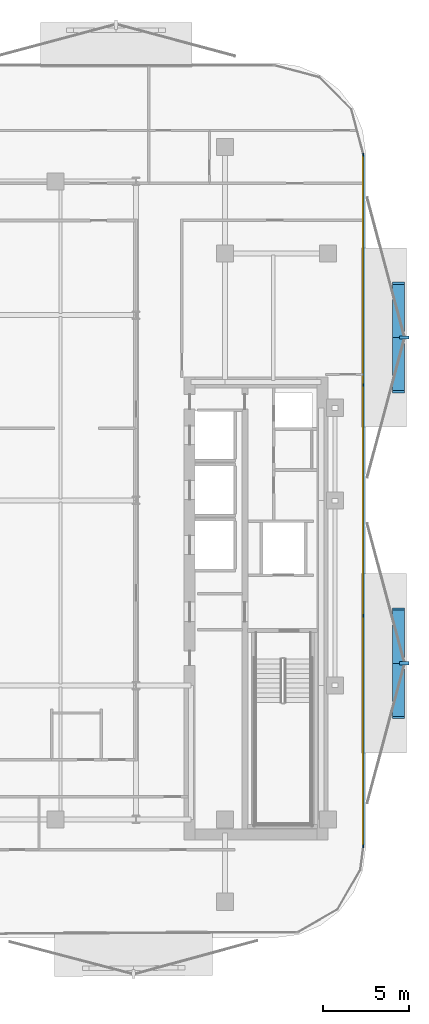
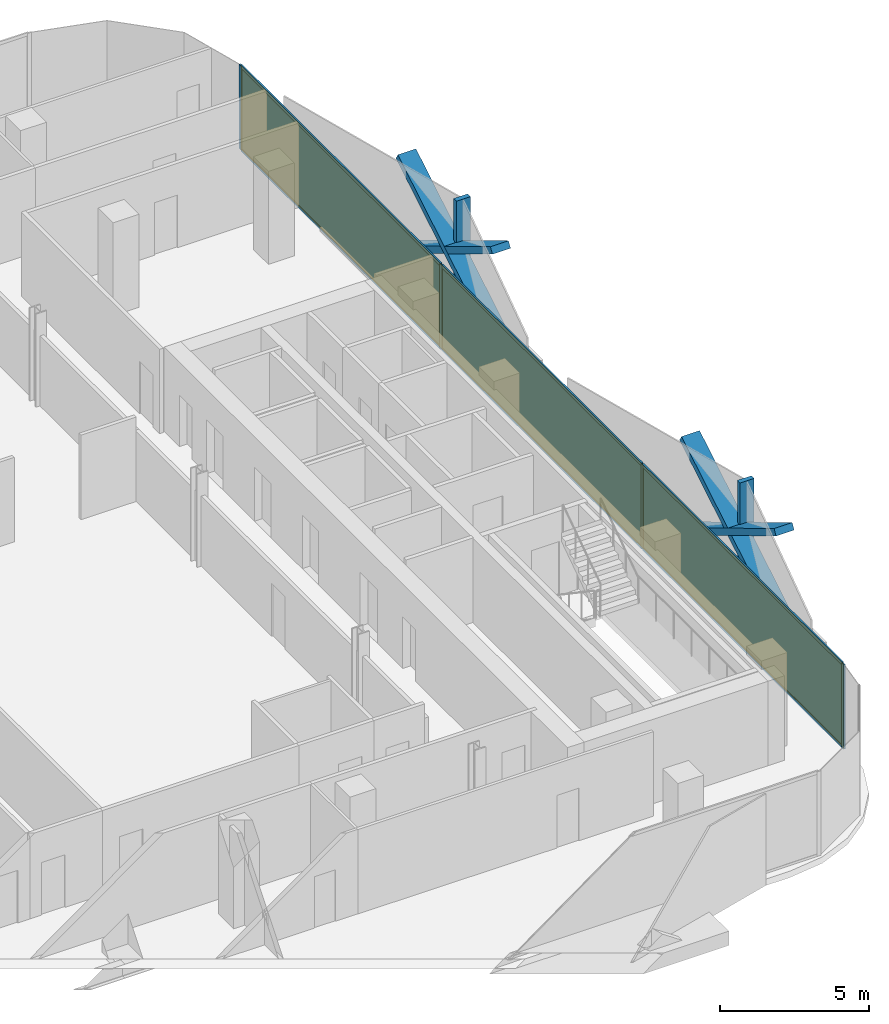
# One storey, part 11 of 17: 16 members, 3 plates, 1 curtain wall.
"""IFC4 building model written with IfcOpenShell, lengths in metres."""

from ifc_helpers import new_model, si_unit, direction, frame, frame_2d, origin, origin_2d, place, context, subcontext, project, spatial, rectangle, extrude, material, layer, layer_set, material_profile, profile_set, type_object, element, aggregate, save


model = new_model("IFC4")

# Units and contexts
model_context = context("Model", 3, precision=1e-05, world=origin(), true_north=direction((0.0, 1.0)))
body_context = subcontext(model_context, "Body", "Model", "MODEL_VIEW")
ifc_project = project(units=[si_unit("LENGTHUNIT", "METRE"), si_unit("AREAUNIT", "SQUARE_METRE"), si_unit("VOLUMEUNIT", "CUBIC_METRE"), si_unit("PLANEANGLEUNIT", "RADIAN"), si_unit("MASSUNIT", "GRAM", prefix="KILO")], contexts=[model_context])

# Member
ifc_material_1 = material(Name="Anodised Bronze Aluminium 6063-T6", Category="aluminium")
ifc_material_profile_1 = material_profile(ifc_material_1, rectangle(XDim=0.260009765625, YDim=0.699951171875, at=origin_2d()))
ifc_profile_set_1 = profile_set([ifc_material_profile_1], Name="Anodised Bronze Aluminium 6063-T6")
member_type_1 = type_object("IfcMemberType", Name="Bronze Diamond Solar-Screen Lattice Rib BDL-700", PredefinedType="MULLION", material=ifc_profile_set_1)
site_placement = place(None, origin())
building_placement = place(site_placement, origin())
storey_placement = place(building_placement, frame((0.0, 0.0, 210.60009765625)))
member_1_placement = place(storey_placement, frame((24.5, 12.660400390625, -0.130126953125), z_axis=(0.0, -0.85737327611, 0.514695118893), x_axis=(0.0, -0.514695118893, -0.85737327611)))
member_1 = element("IfcMember", 1, at=member_1_placement, type_object=member_type_1, Name="L49 Bronze Diamond Solar Screen Lattice Rib 335A", PredefinedType="MULLION", context=body_context, shape_type="SweptSolid", body=[
    extrude(rectangle(XDim=0.260009765625, YDim=0.699951171875, at=origin_2d()), origin(), (0.0, 0.0, 1.0), 7.383056640625),
])

member_2_placement = place(storey_placement, frame((24.5, 6.330322265625, -0.130126953125), z_axis=(0.0, 0.85737327611, 0.514695118893), x_axis=(0.0, 0.514695118893, -0.85737327611)))
member_2 = element("IfcMember", 2, at=member_2_placement, type_object=member_type_1, Name="L49 Bronze Diamond Solar Screen Lattice Rib 335B", PredefinedType="MULLION", context=body_context, shape_type="SweptSolid", body=[
    extrude(rectangle(XDim=0.260009765625, YDim=0.699951171875, at=origin_2d()), origin(), (0.0, 0.0, 1.0), 7.383056640625),
])

member_3_placement = place(storey_placement, frame((24.5, -6.330322265625, -0.130126953125), z_axis=(0.0, -0.85737327611, 0.514695118893), x_axis=(0.0, -0.514695118893, -0.85737327611)))
member_3 = element("IfcMember", 3, at=member_3_placement, type_object=member_type_1, Name="L49 Bronze Diamond Solar Screen Lattice Rib 336A", PredefinedType="MULLION", context=body_context, shape_type="SweptSolid", body=[
    extrude(rectangle(XDim=0.260009765625, YDim=0.699951171875, at=origin_2d()), origin(), (0.0, 0.0, 1.0), 7.383056640625),
])

member_4_placement = place(storey_placement, frame((24.5, -12.660400390625, -0.130126953125), z_axis=(0.0, 0.85737327611, 0.514695118893), x_axis=(0.0, 0.514695118893, -0.85737327611)))
member_4 = element("IfcMember", 4, at=member_4_placement, type_object=member_type_1, Name="L49 Bronze Diamond Solar Screen Lattice Rib 336B", PredefinedType="MULLION", context=body_context, shape_type="SweptSolid", body=[
    extrude(rectangle(XDim=0.260009765625, YDim=0.699951171875, at=origin_2d()), origin(), (0.0, 0.0, 1.0), 7.383056640625),
])

ifc_material_2 = material(Name="Anodised Bronze Aluminium 6063-T6", Category="aluminium")
ifc_material_profile_2 = material_profile(ifc_material_2, rectangle(XDim=0.179931640625, YDim=0.5400390625, at=origin_2d()))
ifc_profile_set_2 = profile_set([ifc_material_profile_2], Name="Anodised Bronze Aluminium 6063-T6")
member_type_2 = type_object("IfcMemberType", Name="Bronze Solar-Screen Vertical Fold Fin BSF-540", PredefinedType="MULLION", material=ifc_profile_set_2)
member_5_placement = place(storey_placement, frame((24.840087890625, 9.495361328125, -0.130126953125), z_axis=(0.0, 0.0, 1.0), x_axis=(0.0, -1.0, 0.0)))
member_5 = element("IfcMember", 5, at=member_5_placement, type_object=member_type_2, Name="L49 Bronze Solar Screen Vertical Fin 335", PredefinedType="MULLION", context=body_context, shape_type="SweptSolid", body=[
    extrude(rectangle(XDim=0.179931640625, YDim=0.5400390625, at=origin_2d()), origin(), (0.0, 0.0, 1.0), 3.800048828125),
])

member_6_placement = place(storey_placement, frame((24.840087890625, -9.495361328125, -0.130126953125), z_axis=(0.0, 0.0, 1.0), x_axis=(0.0, -1.0, 0.0)))
member_6 = element("IfcMember", 6, at=member_6_placement, type_object=member_type_2, Name="L49 Bronze Solar Screen Vertical Fin 336", PredefinedType="MULLION", context=body_context, shape_type="SweptSolid", body=[
    extrude(rectangle(XDim=0.179931640625, YDim=0.5400390625, at=origin_2d()), origin(), (0.0, 0.0, 1.0), 3.800048828125),
])

ifc_material_3 = material(Name="Anodised Bronze Aluminium 6063-T6", Category="aluminium")
ifc_material_profile_3 = material_profile(ifc_material_3, rectangle(XDim=0.06005859375, YDim=0.1650390625, at=origin_2d()))
ifc_profile_set_3 = profile_set([ifc_material_profile_3], Name="Anodised Bronze Aluminium 6063-T6")
member_type_3 = type_object("IfcMemberType", Name="CW-Z3 Mullion 60x165", PredefinedType="MULLION", material=ifc_profile_set_3)
member_7_placement = place(storey_placement, frame((22.4599609375, 20.160888671875, 0.0), z_axis=(0.0, 0.0, 1.0), x_axis=(1.0, 0.0, 0.0)))
member_7 = element("IfcMember", 7, at=member_7_placement, type_object=member_type_3, Name="CW-Z3 mullion 1", PredefinedType="MULLION", context=body_context, shape_type="SweptSolid", body=[
    extrude(rectangle(XDim=0.06005859375, YDim=0.1650390625, at=origin_2d()), origin(), (0.0, 0.0, 1.0), 3.449951171875),
])

member_8_placement = place(storey_placement, frame((22.4599609375, 6.730224609375, 0.0), z_axis=(0.0, 0.0, 1.0), x_axis=(1.0, 0.0, 0.0)))
member_8 = element("IfcMember", 8, at=member_8_placement, type_object=member_type_3, Name="CW-Z3 mullion 2", PredefinedType="MULLION", context=body_context, shape_type="SweptSolid", body=[
    extrude(rectangle(XDim=0.06005859375, YDim=0.1650390625, at=origin_2d()), origin(), (0.0, 0.0, 1.0), 3.449951171875),
])

member_9_placement = place(storey_placement, frame((22.4599609375, -6.730224609375, 0.0), z_axis=(0.0, 0.0, 1.0), x_axis=(1.0, 0.0, 0.0)))
member_9 = element("IfcMember", 9, at=member_9_placement, type_object=member_type_3, Name="CW-Z3 mullion 3", PredefinedType="MULLION", context=body_context, shape_type="SweptSolid", body=[
    extrude(rectangle(XDim=0.06005859375, YDim=0.1650390625, at=origin_2d()), origin(), (0.0, 0.0, 1.0), 3.449951171875),
])

member_10_placement = place(storey_placement, frame((22.4599609375, -20.160888671875, 0.0), z_axis=(0.0, 0.0, 1.0), x_axis=(1.0, 0.0, 0.0)))
member_10 = element("IfcMember", 10, at=member_10_placement, type_object=member_type_3, Name="CW-Z3 mullion 4", PredefinedType="MULLION", context=body_context, shape_type="SweptSolid", body=[
    extrude(rectangle(XDim=0.06005859375, YDim=0.1650390625, at=origin_2d()), origin(), (0.0, 0.0, 1.0), 3.449951171875),
])

ifc_material_4 = material(Name="Anodised Bronze Aluminium 6063-T6", Category="aluminium")
ifc_material_profile_4 = material_profile(ifc_material_4, rectangle(XDim=0.06005859375, YDim=0.1298828125, at=origin_2d()))
ifc_profile_set_4 = profile_set([ifc_material_profile_4], Name="Anodised Bronze Aluminium 6063-T6")
member_type_4 = type_object("IfcMemberType", Name="CW-Z3 Transom 60x130", PredefinedType="USERDEFINED", material=ifc_profile_set_4)
member_11_placement = place(storey_placement, frame((22.4599609375, 20.130859375, 0.02978515625), z_axis=(0.0, -1.0, 0.0), x_axis=(1.0, 0.0, 0.0)))
member_11 = element("IfcMember", 11, at=member_11_placement, type_object=member_type_4, Name="CW-Z3 transom 1.1", ObjectType="TRANSOM", PredefinedType="USERDEFINED", context=body_context, shape_type="SweptSolid", body=[
    extrude(rectangle(XDim=0.06005859375, YDim=0.1298828125, at=origin_2d()), origin(), (0.0, 0.0, 1.0), 13.37060546875),
])

member_12_placement = place(storey_placement, frame((22.4599609375, 20.130859375, 3.419921875), z_axis=(0.0, -1.0, 0.0), x_axis=(1.0, 0.0, 0.0)))
member_12 = element("IfcMember", 12, at=member_12_placement, type_object=member_type_4, Name="CW-Z3 transom 1.2", ObjectType="TRANSOM", PredefinedType="USERDEFINED", context=body_context, shape_type="SweptSolid", body=[
    extrude(rectangle(XDim=0.06005859375, YDim=0.1298828125, at=origin_2d()), origin(), (0.0, 0.0, 1.0), 13.37060546875),
])

member_13_placement = place(storey_placement, frame((22.4599609375, 6.7001953125, 0.02978515625), z_axis=(0.0, -1.0, 0.0), x_axis=(1.0, 0.0, 0.0)))
member_13 = element("IfcMember", 13, at=member_13_placement, type_object=member_type_4, Name="CW-Z3 transom 2.1", ObjectType="TRANSOM", PredefinedType="USERDEFINED", context=body_context, shape_type="SweptSolid", body=[
    extrude(rectangle(XDim=0.06005859375, YDim=0.1298828125, at=origin_2d()), origin(), (0.0, 0.0, 1.0), 13.400390625),
])

member_14_placement = place(storey_placement, frame((22.4599609375, 6.7001953125, 3.419921875), z_axis=(0.0, -1.0, 0.0), x_axis=(1.0, 0.0, 0.0)))
member_14 = element("IfcMember", 14, at=member_14_placement, type_object=member_type_4, Name="CW-Z3 transom 2.2", ObjectType="TRANSOM", PredefinedType="USERDEFINED", context=body_context, shape_type="SweptSolid", body=[
    extrude(rectangle(XDim=0.06005859375, YDim=0.1298828125, at=origin_2d()), origin(), (0.0, 0.0, 1.0), 13.400390625),
])

member_15_placement = place(storey_placement, frame((22.4599609375, -6.76025390625, 0.02978515625), z_axis=(0.0, -1.0, 0.0), x_axis=(1.0, 0.0, 0.0)))
member_15 = element("IfcMember", 15, at=member_15_placement, type_object=member_type_4, Name="CW-Z3 transom 3.1", ObjectType="TRANSOM", PredefinedType="USERDEFINED", context=body_context, shape_type="SweptSolid", body=[
    extrude(rectangle(XDim=0.06005859375, YDim=0.1298828125, at=origin_2d()), origin(), (0.0, 0.0, 1.0), 13.37060546875),
])

member_16_placement = place(storey_placement, frame((22.4599609375, -6.76025390625, 3.419921875), z_axis=(0.0, -1.0, 0.0), x_axis=(1.0, 0.0, 0.0)))
member_16 = element("IfcMember", 16, at=member_16_placement, type_object=member_type_4, Name="CW-Z3 transom 3.2", ObjectType="TRANSOM", PredefinedType="USERDEFINED", context=body_context, shape_type="SweptSolid", body=[
    extrude(rectangle(XDim=0.06005859375, YDim=0.1298828125, at=origin_2d()), origin(), (0.0, 0.0, 1.0), 13.37060546875),
])

# Plate
ifc_material_5 = material(Name="Low-E Solar Control Laminated Glass", Category="glass")
ifc_layer_1 = layer(ifc_material_5, 0.030029296875, Name="Low-E Solar Control Laminated Glass")
ifc_layer_set_1 = layer_set([ifc_layer_1], Name="Low-E Solar Control Laminated Glass")
plate_type = type_object("IfcPlateType", Name="CW-Z3 Low-E Double Glazed Panel 30mm", PredefinedType="CURTAIN_PANEL", material=ifc_layer_set_1)
plate_1_placement = place(storey_placement, frame((22.4599609375, 13.445556640625, 0.059814453125), z_axis=(0.0, 0.0, 1.0), x_axis=(0.0, -1.0, 0.0)))
plate_1 = element("IfcPlate", 17, at=plate_1_placement, type_object=plate_type, Name="CW-Z3 panel 1.1", PredefinedType="CURTAIN_PANEL", context=body_context, shape_type="SweptSolid", body=[
    extrude(rectangle(XDim=13.37060546875, YDim=0.030029296875, at=origin_2d()), origin(), (0.0, 0.0, 1.0), 3.330078125),
])

plate_2_placement = place(storey_placement, frame((22.4599609375, 0.0, 0.059814453125), z_axis=(0.0, 0.0, 1.0), x_axis=(0.0, -1.0, 0.0)))
plate_2 = element("IfcPlate", 18, at=plate_2_placement, type_object=plate_type, Name="CW-Z3 panel 2.1", PredefinedType="CURTAIN_PANEL", context=body_context, shape_type="SweptSolid", body=[
    extrude(rectangle(XDim=13.400634765625, YDim=0.030029296875, at=origin_2d()), origin(), (0.0, 0.0, 1.0), 3.330078125),
])

plate_3_placement = place(storey_placement, frame((22.4599609375, -13.445556640625, 0.059814453125), z_axis=(0.0, 0.0, 1.0), x_axis=(0.0, -1.0, 0.0)))
plate_3 = element("IfcPlate", 19, at=plate_3_placement, type_object=plate_type, Name="CW-Z3 panel 3.1", PredefinedType="CURTAIN_PANEL", context=body_context, shape_type="SweptSolid", body=[
    extrude(rectangle(XDim=13.37060546875, YDim=0.030029296875, at=origin_2d()), origin(), (0.0, 0.0, 1.0), 3.330078125),
])

# Site, building, storey
site = spatial("IfcSite", under=ifc_project, at=site_placement, CompositionType="ELEMENT")
building = spatial("IfcBuilding", under=site, at=building_placement, Name="Khairoan Windgate Tower", CompositionType="ELEMENT")
storey = spatial("IfcBuildingStorey", under=building, at=storey_placement, Name="L49", CompositionType="ELEMENT", Elevation=210.60009765625)

# Curtain wall
ifc_material_6 = material(Name="Anodised Bronze Aluminium 6063-T6", Category="aluminium")
ifc_layer_2 = layer(ifc_material_6, 0.1650390625, Name="Anodised Bronze Aluminium 6063-T6")
ifc_layer_set_2 = layer_set([ifc_layer_2], Name="Anodised Bronze Aluminium 6063-T6")
curtain_wall_type = type_object("IfcCurtainWallType", Name="Luxury Hotel Acoustic Curtain Wall CW-Z3", PredefinedType="NOTDEFINED", material=ifc_layer_set_2)
curtain_wall_placement = place(storey_placement, frame((22.4599609375, 20.19091796875, 0.0), z_axis=(0.0, 0.0, 1.0), x_axis=(0.0, -1.0, 0.0)))
curtain_wall = element("IfcCurtainWall", 20, at=curtain_wall_placement, inside=storey, type_object=curtain_wall_type, Name="L49 Unitised Curtain Wall 13", PredefinedType="NOTDEFINED", context=body_context, shape_type="SweptSolid", body=[
    extrude(rectangle(XDim=40.3818359375, YDim=0.010009765625, at=frame_2d((20.19091796875, 0.0))), origin(), (0.0, 0.0, 1.0), 3.449951171875),
])

aggregate(curtain_wall, [member_7, member_8, member_9, member_10, member_11, member_12, plate_1, member_13, member_14, plate_2, member_15, member_16, plate_3, member_1, member_2, member_5, member_3, member_4, member_6])

save(model, "model.ifc")
